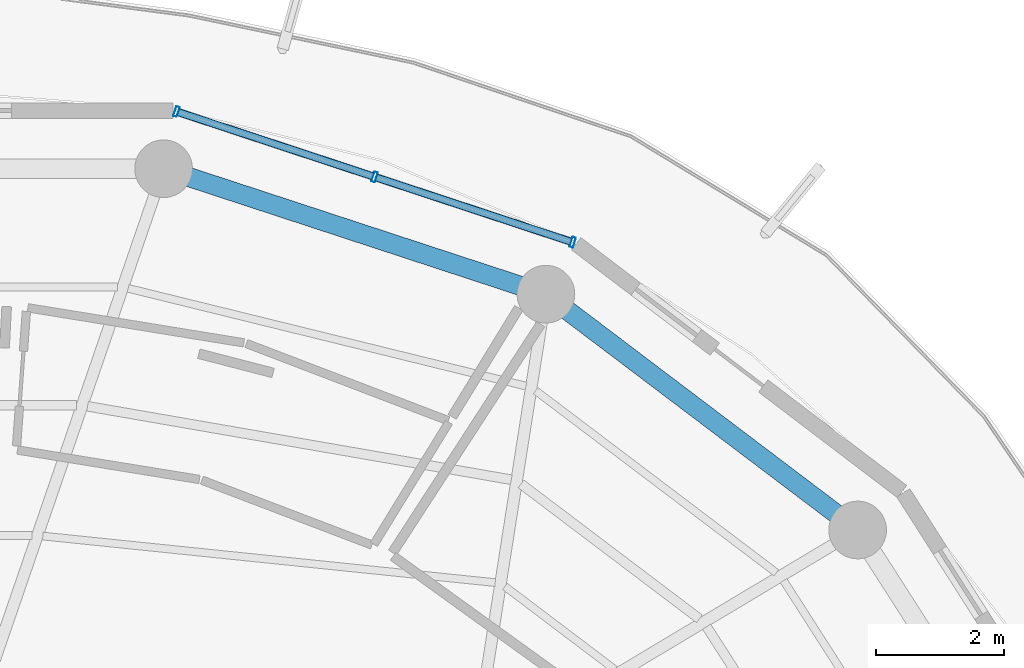
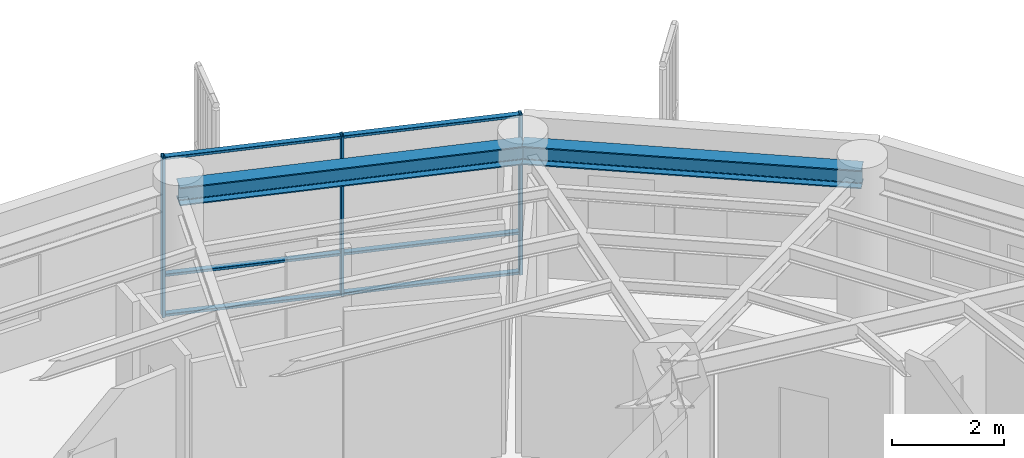
# One storey, part 13 of 22: 9 members, 2 beams, 1 element without a shape of its own.
"""IFC4 building model written with IfcOpenShell, lengths in metres."""

from ifc_helpers import new_model, si_unit, direction, frame, origin, origin_2d, place, context, subcontext, project, spatial, hollow_rectangle, i_section, extrude, material, layer, layer_set, material_profile, profile_set, type_object, element, aggregate, save


model = new_model("IFC4")

# Units and contexts
model_context = context("Model", 3, precision=1e-05, world=origin(), true_north=direction((0.0, 1.0)))
body_context = subcontext(model_context, "Body", "Model", "MODEL_VIEW")
ifc_project = project(units=[si_unit("LENGTHUNIT", "METRE"), si_unit("AREAUNIT", "SQUARE_METRE"), si_unit("VOLUMEUNIT", "CUBIC_METRE"), si_unit("PLANEANGLEUNIT", "RADIAN"), si_unit("MASSUNIT", "GRAM", prefix="KILO")], contexts=[model_context])

# Site, building, storey
site_placement = place(None, origin())
site = spatial("IfcSite", under=ifc_project, at=site_placement, CompositionType="ELEMENT")
building_placement = place(site_placement, origin())
building = spatial("IfcBuilding", under=site, at=building_placement, Name="Kelanora Arch Commons", CompositionType="ELEMENT")
storey_placement = place(building_placement, frame((0.0, 0.0, 271.199951171875)))
storey = spatial("IfcBuildingStorey", under=building, at=storey_placement, Name="L69", CompositionType="ELEMENT", Elevation=271.199951171875)

# Beams
ifc_material_1 = material(Name="Steel S355", Category="steel")
ifc_material_profile_1 = material_profile(ifc_material_1, i_section(OverallWidth=0.300048828125, OverallDepth=0.39990234375, WebThickness=0.013427734375, FlangeThickness=0.02392578125, FilletRadius=0.027099609375, at=origin_2d()), Name="HEB400")
ifc_profile_set_1 = profile_set([ifc_material_profile_1], Name="Steel S355")
beam_type = type_object("IfcBeamType", Name="BM-SPN-Z4", PredefinedType="SPANDREL", material=ifc_profile_set_1)
beam_1_placement = place(storey_placement, frame((88.00341796875, 68.593017578125, 3.2900390625), z_axis=(-0.797509460967, 0.603306439273, 0.0), x_axis=(-0.603306439273, -0.797509460967, 0.0)))
element("IfcBeam", 1, at=beam_1_placement, inside=storey, type_object=beam_type, Name="Perimeter Spandrel Beam BS-04 L69", PredefinedType="SPANDREL", context=body_context, shape_type="SweptSolid", body=[
    extrude(i_section(OverallWidth=0.300048828125, OverallDepth=0.39990234375, WebThickness=0.013427734375, FlangeThickness=0.02392578125, FilletRadius=0.027099609375, at=origin_2d()), origin(), (0.0, 0.0, 1.0), 6.098388671875),
])
beam_2_placement = place(storey_placement, frame((83.139892578125, 72.272216796875, 3.2900390625), z_axis=(-0.950165923039, 0.311744636996, 0.0), x_axis=(-0.311744636996, -0.950165923039, 0.0)))
element("IfcBeam", 2, at=beam_2_placement, inside=storey, type_object=beam_type, Name="Perimeter Spandrel Beam BS-06 L69", PredefinedType="SPANDREL", context=body_context, shape_type="SweptSolid", body=[
    extrude(i_section(OverallWidth=0.300048828125, OverallDepth=0.39990234375, WebThickness=0.013427734375, FlangeThickness=0.02392578125, FilletRadius=0.027099609375, at=origin_2d()), origin(), (0.0, 0.0, 1.0), 6.278564453125),
])

# Curtain wall, members
ifc_material_2 = material(Name="Terracotta ceramic-fritted low-E glass and aluminium", Category="masonry")
ifc_layer = layer(ifc_material_2, 0.18994140625)
ifc_layer_set = layer_set([ifc_layer], Name="Terracotta ceramic-fritted low-E glass and aluminium")
curtain_wall_type = type_object("IfcCurtainWallType", Name="CW-SYS-03", PredefinedType="NOTDEFINED", material=ifc_layer_set)
curtain_wall_placement = place(storey_placement, origin())
curtain_wall = element("IfcCurtainWall", 3, at=curtain_wall_placement, inside=storey, type_object=curtain_wall_type, Name="Unitised Curtain Wall L69-B03", PredefinedType="NOTDEFINED")
ifc_material_3 = material(Name="Powder-coated aluminium terracotta", Category="masonry")
ifc_material_profile_2 = material_profile(ifc_material_3, hollow_rectangle(XDim=0.159912109375, YDim=0.06005859375, WallThickness=0.0048828125, InnerFilletRadius=0.0048828125, OuterFilletRadius=0.010009765625, at=origin_2d()), Name="CWM160x60")
ifc_profile_set_2 = profile_set([ifc_material_profile_2], Name="Powder-coated aluminium terracotta")
member_type_1 = type_object("IfcMemberType", Name="CWM-STD", PredefinedType="MULLION", material=ifc_profile_set_2)
member_1_placement = place(storey_placement, frame((83.557373046875, 73.0830078125, 0.0), z_axis=(0.0, 0.0, 1.0), x_axis=(-0.313252785344, -0.949669780752, 0.0)))
member_1 = element("IfcMember", 4, at=member_1_placement, type_object=member_type_1, Name="CW-03 mullion 1", PredefinedType="MULLION", context=body_context, shape_type="SweptSolid", body=[
    extrude(hollow_rectangle(XDim=0.159912109375, YDim=0.06005859375, WallThickness=0.0048828125, InnerFilletRadius=0.0048828125, OuterFilletRadius=0.010009765625, at=origin_2d()), origin(), (0.0, 0.0, 1.0), 3.47509765625),
])
member_2_placement = place(storey_placement, frame((80.467041015625, 74.102294921875, 0.0), z_axis=(0.0, 0.0, 1.0), x_axis=(-0.313252785344, -0.949669780752, 0.0)))
member_2 = element("IfcMember", 5, at=member_2_placement, type_object=member_type_1, Name="CW-03 mullion 2", PredefinedType="MULLION", context=body_context, shape_type="SweptSolid", body=[
    extrude(hollow_rectangle(XDim=0.159912109375, YDim=0.06005859375, WallThickness=0.0048828125, InnerFilletRadius=0.0048828125, OuterFilletRadius=0.010009765625, at=origin_2d()), origin(), (0.0, 0.0, 1.0), 3.47509765625),
])
member_3_placement = place(storey_placement, frame((77.376708984375, 75.12158203125, 0.0), z_axis=(0.0, 0.0, 1.0), x_axis=(-0.313252785344, -0.949669780752, 0.0)))
member_3 = element("IfcMember", 6, at=member_3_placement, type_object=member_type_1, Name="CW-03 mullion 3", PredefinedType="MULLION", context=body_context, shape_type="SweptSolid", body=[
    extrude(hollow_rectangle(XDim=0.159912109375, YDim=0.06005859375, WallThickness=0.0048828125, InnerFilletRadius=0.0048828125, OuterFilletRadius=0.010009765625, at=origin_2d()), origin(), (0.0, 0.0, 1.0), 3.47509765625),
])
ifc_material_profile_3 = material_profile(ifc_material_3, hollow_rectangle(XDim=0.1201171875, YDim=0.06005859375, WallThickness=0.0048828125, InnerFilletRadius=0.0048828125, OuterFilletRadius=0.010009765625, at=origin_2d()), Name="CWT120x60")
ifc_profile_set_3 = profile_set([ifc_material_profile_3], Name="Powder-coated aluminium terracotta")
member_type_2 = type_object("IfcMemberType", Name="CWT-STD", PredefinedType="USERDEFINED", material=ifc_profile_set_3)
member_4_placement = place(storey_placement, frame((83.52880859375, 73.09228515625, 0.030029296875), z_axis=(-0.949672315102, 0.313245102003, 0.0), x_axis=(-0.313245102003, -0.949672315102, 0.0)))
member_4 = element("IfcMember", 7, at=member_4_placement, type_object=member_type_2, Name="CW-03 transom 1.1", ObjectType="TRANSOM", PredefinedType="USERDEFINED", context=body_context, shape_type="SweptSolid", body=[
    extrude(hollow_rectangle(XDim=0.1201171875, YDim=0.06005859375, WallThickness=0.0048828125, InnerFilletRadius=0.0048828125, OuterFilletRadius=0.010009765625, at=origin_2d()), origin(), (0.0, 0.0, 1.0), 3.19384765625),
])
member_5_placement = place(storey_placement, frame((83.52880859375, 73.09228515625, 0.900146484375), z_axis=(-0.949672315102, 0.313245102003, 0.0), x_axis=(-0.313245102003, -0.949672315102, 0.0)))
member_5 = element("IfcMember", 8, at=member_5_placement, type_object=member_type_2, Name="CW-03 transom 1.2", ObjectType="TRANSOM", PredefinedType="USERDEFINED", context=body_context, shape_type="SweptSolid", body=[
    extrude(hollow_rectangle(XDim=0.1201171875, YDim=0.06005859375, WallThickness=0.0048828125, InnerFilletRadius=0.0048828125, OuterFilletRadius=0.010009765625, at=origin_2d()), origin(), (0.0, 0.0, 1.0), 3.19384765625),
])
member_6_placement = place(storey_placement, frame((83.52880859375, 73.09228515625, 3.445068359375), z_axis=(-0.949672315102, 0.313245102003, 0.0), x_axis=(-0.313245102003, -0.949672315102, 0.0)))
member_6 = element("IfcMember", 9, at=member_6_placement, type_object=member_type_2, Name="CW-03 transom 1.3", ObjectType="TRANSOM", PredefinedType="USERDEFINED", context=body_context, shape_type="SweptSolid", body=[
    extrude(hollow_rectangle(XDim=0.1201171875, YDim=0.06005859375, WallThickness=0.0048828125, InnerFilletRadius=0.0048828125, OuterFilletRadius=0.010009765625, at=origin_2d()), origin(), (0.0, 0.0, 1.0), 3.19384765625),
])
member_7_placement = place(storey_placement, frame((80.4384765625, 74.111572265625, 0.030029296875), z_axis=(-0.949649574195, 0.313314037719, 0.0), x_axis=(-0.313314037719, -0.949649574195, 0.0)))
member_7 = element("IfcMember", 10, at=member_7_placement, type_object=member_type_2, Name="CW-03 transom 2.1", ObjectType="TRANSOM", PredefinedType="USERDEFINED", context=body_context, shape_type="SweptSolid", body=[
    extrude(hollow_rectangle(XDim=0.1201171875, YDim=0.06005859375, WallThickness=0.0048828125, InnerFilletRadius=0.0048828125, OuterFilletRadius=0.010009765625, at=origin_2d()), origin(), (0.0, 0.0, 1.0), 3.194091796875),
])
member_8_placement = place(storey_placement, frame((80.4384765625, 74.111572265625, 0.900146484375), z_axis=(-0.949649574195, 0.313314037719, 0.0), x_axis=(-0.313314037719, -0.949649574195, 0.0)))
member_8 = element("IfcMember", 11, at=member_8_placement, type_object=member_type_2, Name="CW-03 transom 2.2", ObjectType="TRANSOM", PredefinedType="USERDEFINED", context=body_context, shape_type="SweptSolid", body=[
    extrude(hollow_rectangle(XDim=0.1201171875, YDim=0.06005859375, WallThickness=0.0048828125, InnerFilletRadius=0.0048828125, OuterFilletRadius=0.010009765625, at=origin_2d()), origin(), (0.0, 0.0, 1.0), 3.194091796875),
])
member_9_placement = place(storey_placement, frame((80.4384765625, 74.111572265625, 3.445068359375), z_axis=(-0.949649574195, 0.313314037719, 0.0), x_axis=(-0.313314037719, -0.949649574195, 0.0)))
member_9 = element("IfcMember", 12, at=member_9_placement, type_object=member_type_2, Name="CW-03 transom 2.3", ObjectType="TRANSOM", PredefinedType="USERDEFINED", context=body_context, shape_type="SweptSolid", body=[
    extrude(hollow_rectangle(XDim=0.1201171875, YDim=0.06005859375, WallThickness=0.0048828125, InnerFilletRadius=0.0048828125, OuterFilletRadius=0.010009765625, at=origin_2d()), origin(), (0.0, 0.0, 1.0), 3.194091796875),
])
aggregate(curtain_wall, [member_1, member_2, member_3, member_4, member_5, member_6, member_7, member_8, member_9])

save(model, "model.ifc")
